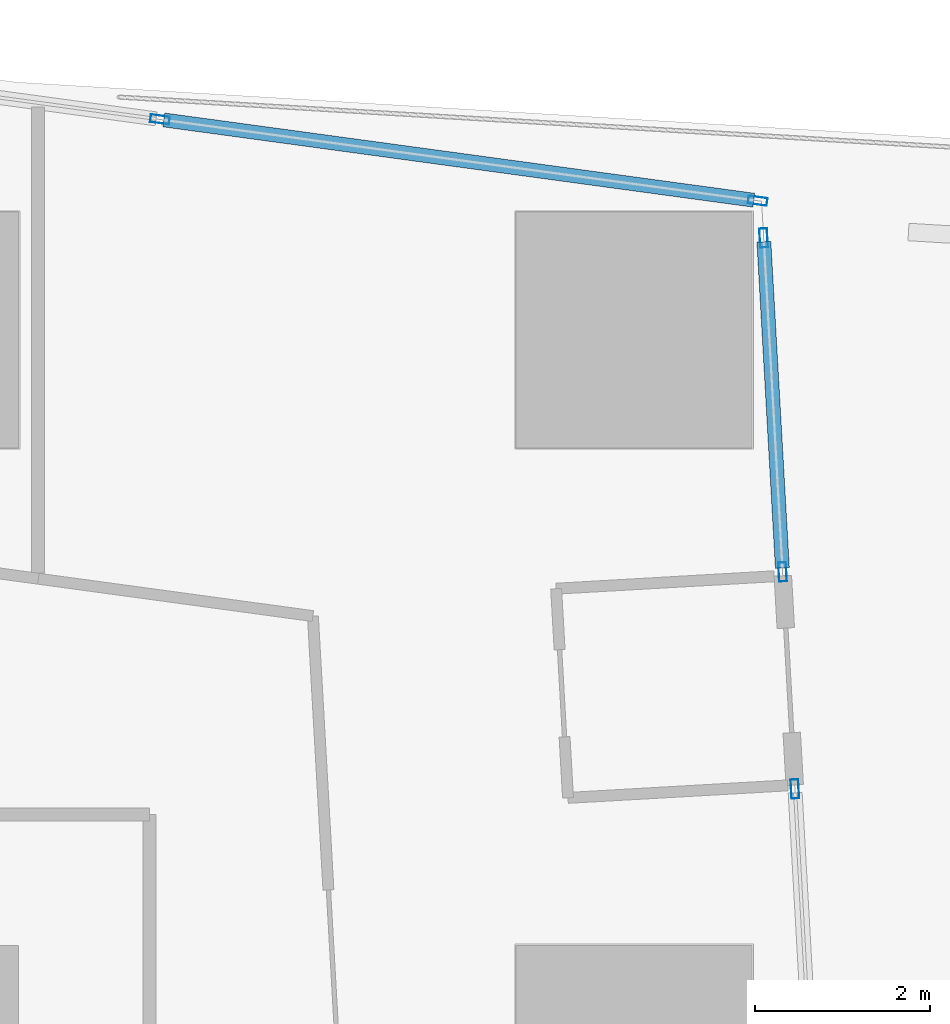
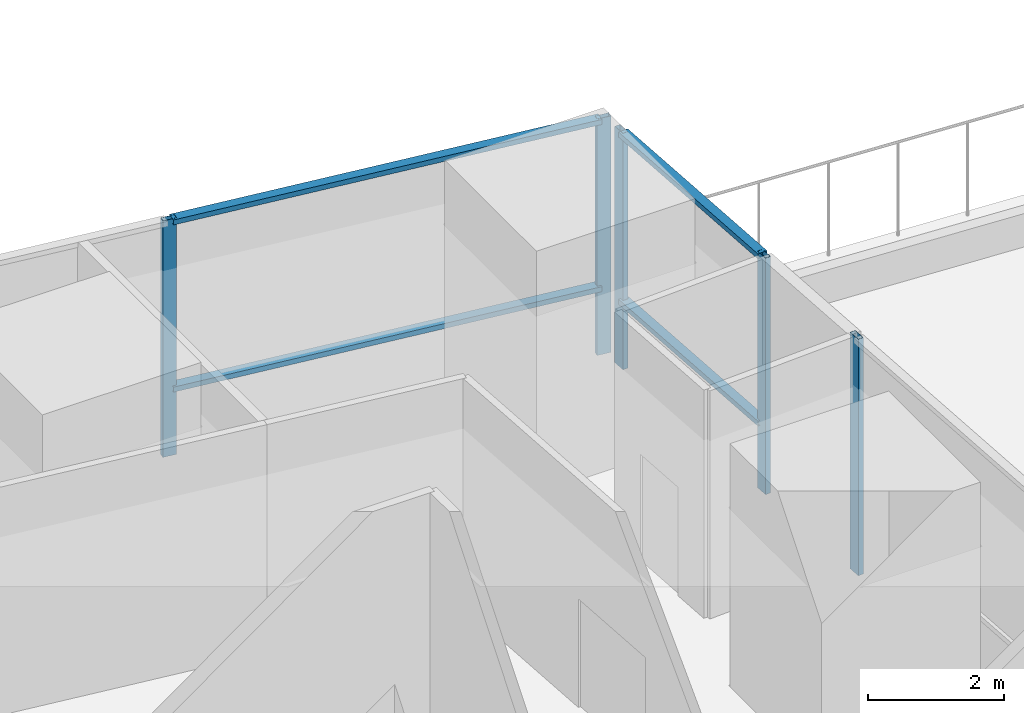
# One storey, part 11 of 39: 9 members, 3 elements without a shape of their own.
"""IFC4 building model written with IfcOpenShell, lengths in metres."""

import ifcopenshell
import ifcopenshell.guid

model = None  # the IFC model being written
_history = None  # IfcOwnerHistory: only IFC2X3 demands one
_inside = {}  # id of a spatial element -> (the spatial element, [elements in it])
_under = {}  # id of a project, library or spatial element -> (it, [spatial elements below it])
_declared = {}  # id of a project -> (the project, [libraries it declares])
_typed = {}  # id of a type object -> (the type object, [elements of that type])
_made_of = {}  # id of a material, layer set ... -> (it, [elements and type objects made of it])


def new_model(schema):
    """Start an empty IFC model of exactly this schema.

    Asked for "IFC4X3", IfcOpenShell would pick the latest addendum, in which some entities
    have other attributes; the version numbers below select the first issue.
    IFC2X3 requires an IfcOwnerHistory on every rooted entity: one is made here for all.
    """
    global model, _history
    if schema == "IFC4X3":
        model = ifcopenshell.file(schema_version=(4, 3, 0, 0))
    else:
        model = ifcopenshell.file(schema=schema)
    _inside.clear()
    _under.clear()
    _declared.clear()
    _typed.clear()
    _made_of.clear()
    _history = None
    if model.schema == "IFC2X3":
        org = make("IfcOrganization", Name="unknown")
        user = make(
            "IfcPersonAndOrganization",
            ThePerson=make("IfcPerson", FamilyName="unknown"),
            TheOrganization=org,
        )
        app = make(
            "IfcApplication",
            ApplicationDeveloper=org,
            Version="unknown",
            ApplicationFullName="unknown",
            ApplicationIdentifier="unknown",
        )
        _history = make(
            "IfcOwnerHistory",
            OwningUser=user,
            OwningApplication=app,
            ChangeAction="ADDED",
            CreationDate=0,
        )
    return model


def make(cls, **values):
    """One entity of the class cls with the attributes given. An attribute that is None is left unset."""
    return model.create_entity(
        cls, **{name: value for name, value in values.items() if value is not None}
    )


def rooted(cls, **values):
    """An entity with a GlobalId (a new one), such as an element, a storey or a relation."""
    return make(cls, GlobalId=ifcopenshell.guid.new(), OwnerHistory=_history, **values)


def si_unit(unit_type, name, prefix=None):
    """IfcSIUnit, for example si_unit("LENGTHUNIT", "METRE", prefix="MILLI")."""
    return make("IfcSIUnit", UnitType=unit_type, Prefix=prefix, Name=name)


def assignment(units):
    """IfcUnitAssignment: the units of a project."""
    return None if units is None else make("IfcUnitAssignment", Units=units)


def point(xyz):
    """IfcCartesianPoint."""
    return None if xyz is None else make("IfcCartesianPoint", Coordinates=xyz)


def direction(xyz):
    """IfcDirection."""
    return None if xyz is None else make("IfcDirection", DirectionRatios=xyz)


def frame(location, z_axis=None, x_axis=None):
    """IfcAxis2Placement3D, a coordinate frame: its origin and axes. An axis left out is left unset."""
    return make(
        "IfcAxis2Placement3D",
        Location=point(location),
        Axis=direction(z_axis),
        RefDirection=direction(x_axis),
    )


def frame_2d(location, x_axis=None):
    """IfcAxis2Placement2D, a coordinate frame in the plane: its origin and x axis."""
    return make(
        "IfcAxis2Placement2D", Location=point(location), RefDirection=direction(x_axis)
    )


def origin():
    """The frame at (0, 0, 0) with its axes left unset."""
    return frame((0.0, 0.0, 0.0))


def origin_2d():
    """The frame at (0, 0) in the plane with its x axis left unset."""
    return frame_2d((0.0, 0.0))


def place(relative_to, where):
    """IfcLocalPlacement: puts the frame where relative to a parent placement (None: the world)."""
    return make(
        "IfcLocalPlacement", PlacementRelTo=relative_to, RelativePlacement=where
    )


def context(
    kind, dimensions, precision=None, world=None, true_north=None, identifier=None
):
    """IfcGeometricRepresentationContext, for example the 3D "Model" context."""
    return make(
        "IfcGeometricRepresentationContext",
        ContextIdentifier=identifier,
        ContextType=kind,
        CoordinateSpaceDimension=dimensions,
        Precision=precision,
        WorldCoordinateSystem=world,
        TrueNorth=true_north,
    )


def subcontext(parent, identifier, kind, view, scale=None):
    """IfcGeometricRepresentationSubContext, for example "Body" below "Model"."""
    return make(
        "IfcGeometricRepresentationSubContext",
        ContextIdentifier=identifier,
        ContextType=kind,
        ParentContext=parent,
        TargetScale=scale,
        TargetView=view,
    )


def project(units=None, contexts=None):
    """IfcProject with its units and contexts."""
    return rooted(
        "IfcProject",
        Name="project",
        RepresentationContexts=contexts,
        UnitsInContext=assignment(units),
    )


def spatial(cls, under=None, at=None, **own):
    """A site, building, storey or space (cls), placed at a placement, below another one or the project."""
    s = rooted(cls, ObjectPlacement=at, **own)
    if under is not None:
        _under.setdefault(under.id(), (under, []))[1].append(s)
    return s


def profile(cls, at=None, kind="AREA", **sizes):
    """A parametric profile (cls). Its sizes go by their IFC names, for example OverallWidth=200.0."""
    return make(cls, ProfileType=kind, Position=at, **sizes)


def hollow_rectangle(**sizes):
    """IfcRectangleHollowProfileDef."""
    return profile("IfcRectangleHollowProfileDef", **sizes)


def extrude(swept, where, along, depth):
    """IfcExtrudedAreaSolid: the profile swept, set in the frame where, extruded along a direction by depth."""
    return make(
        "IfcExtrudedAreaSolid",
        SweptArea=swept,
        Position=where,
        ExtrudedDirection=direction(along),
        Depth=depth,
    )


def shape(context_of_items, identifier, shape_type, items):
    """IfcShapeRepresentation: the items that make up one representation, for example the "Body"."""
    return make(
        "IfcShapeRepresentation",
        ContextOfItems=context_of_items,
        RepresentationIdentifier=identifier,
        RepresentationType=shape_type,
        Items=items,
    )


def material(Name=None, Category=None):
    """IfcMaterial."""
    return make("IfcMaterial", Name=Name, Category=Category)


def material_profile(
    of_material, cross_section, Name=None, Category=None, Priority=None
):
    """IfcMaterialProfile: a cross section and its material."""
    return make(
        "IfcMaterialProfile",
        Name=Name,
        Material=of_material,
        Profile=cross_section,
        Priority=Priority,
        Category=Category,
    )


def profile_set(profiles, Name=None, composite=None):
    """IfcMaterialProfileSet."""
    return make(
        "IfcMaterialProfileSet",
        Name=Name,
        MaterialProfiles=profiles,
        CompositeProfile=composite,
    )


def made_of(thing, what):
    """Note that an element or type object is made of a material, layer set ...; save() writes the relation."""
    if what is not None:
        _made_of.setdefault(what.id(), (what, []))[1].append(thing)
    return thing


def type_object(cls, material=None, **own):
    """A type object (cls), such as IfcWallType, which elements share."""
    return made_of(rooted(cls, **own), material)


def element(
    cls,
    number,
    at=None,
    inside=None,
    cuts=None,
    type_object=None,
    material=None,
    context=None,
    identifier="Body",
    shape_type=None,
    held_by="IfcProductDefinitionShape",
    body=None,
    shapes=None,
    **own,
):
    """One element of the class cls, such as IfcWall. Its Tag is "e" and its number.

    at: its placement. inside: the storey or other place that contains it. cuts: it is an
    opening in that element (IfcRelVoidsElement). A single representation is given by context,
    identifier, shape_type and body (its items); several are given by shapes. held_by: the class
    of the entity that holds the representations. save() writes the other relations.
    """
    e = rooted(cls, Tag="e%d" % number, ObjectPlacement=at, **own)
    if body is not None:
        shapes = [shape(context, identifier, shape_type, body)]
    if shapes is not None:
        e.Representation = make(held_by, Representations=shapes)
    if inside is not None:
        _inside.setdefault(inside.id(), (inside, []))[1].append(e)
    if cuts is not None:
        rooted(
            "IfcRelVoidsElement", RelatingBuildingElement=cuts, RelatedOpeningElement=e
        )
    if type_object is not None:
        _typed.setdefault(type_object.id(), (type_object, []))[1].append(e)
    return made_of(e, material)


def aggregate(whole, parts):
    """IfcRelAggregates: a whole, such as a stair, and the parts it consists of."""
    return rooted("IfcRelAggregates", RelatingObject=whole, RelatedObjects=parts)


def save(model, path):
    """Write the relations noted so far, then the file.

    IfcRelAggregates (storeys below a building ...), IfcRelContainedInSpatialStructure (elements
    in a storey), IfcRelDefinesByType, IfcRelAssociatesMaterial and IfcRelDeclares: one each for
    every whole, place, type object, material and project.
    """
    for whole, parts in _under.values():
        aggregate(whole, parts)
    for where, things in _inside.values():
        rooted(
            "IfcRelContainedInSpatialStructure",
            RelatedElements=things,
            RelatingStructure=where,
        )
    for kind, things in _typed.values():
        rooted("IfcRelDefinesByType", RelatedObjects=things, RelatingType=kind)
    for what, things in _made_of.values():
        rooted("IfcRelAssociatesMaterial", RelatedObjects=things, RelatingMaterial=what)
    for by, libraries in _declared.values():
        rooted("IfcRelDeclares", RelatingContext=by, RelatedDefinitions=libraries)
    model.write(path)


model = new_model("IFC4")

# Units and contexts
model_context = context("Model", 3, precision=1e-05, world=origin(), true_north=direction((0.0, 1.0)))
body_context = subcontext(model_context, "Body", "Model", "MODEL_VIEW")
ifc_project = project(units=[si_unit("LENGTHUNIT", "METRE"), si_unit("AREAUNIT", "SQUARE_METRE"), si_unit("VOLUMEUNIT", "CUBIC_METRE"), si_unit("PLANEANGLEUNIT", "RADIAN"), si_unit("MASSUNIT", "GRAM", prefix="KILO")], contexts=[model_context])

# Site, building, storey
site_placement = place(None, origin())
site = spatial("IfcSite", under=ifc_project, at=site_placement, CompositionType="ELEMENT")
building_placement = place(site_placement, origin())
building = spatial("IfcBuilding", under=site, at=building_placement, Name="Rekha Terrace Tower", CompositionType="ELEMENT")
storey_placement = place(building_placement, frame((0.0, 0.0, 168.199951171875)))
storey = spatial("IfcBuildingStorey", under=building, at=storey_placement, Name="L42", CompositionType="ELEMENT", Elevation=168.199951171875)

# Curtain wall, member
ifc_material_1 = material(Name="Aluminium framing", Category="aluminium")
curtain_wall_type = type_object("IfcCurtainWallType", Name="CW5 sky garden glazing", PredefinedType="USERDEFINED", material=ifc_material_1)
curtain_wall_1_placement = place(storey_placement, origin())
curtain_wall_1 = element("IfcCurtainWall", 1, at=curtain_wall_1_placement, inside=storey, type_object=curtain_wall_type, Name="CW5 sky garden curtain wall", ObjectType="SKY GARDEN CURTAIN WALL", PredefinedType="USERDEFINED")
ifc_material_2 = material(Name="Aluminium mullion section", Category="aluminium")
ifc_material_profile_1 = material_profile(ifc_material_2, hollow_rectangle(XDim=0.090087890625, YDim=0.219970703125, WallThickness=0.00390625, at=origin_2d()), Name="AL RHS 90x220")
ifc_profile_set_1 = profile_set([ifc_material_profile_1], Name="Aluminium mullion section")
member_type_1 = type_object("IfcMemberType", Name="CW5 mullion RHS 90 x 220", PredefinedType="MULLION", material=ifc_profile_set_1)
member_1_placement = place(storey_placement, frame((60.6416015625, 53.543701171875, 0.0), z_axis=(0.0, 0.0, 1.0), x_axis=(-0.998392782915, -0.056673194929, 0.0)))
member_1 = element("IfcMember", 2, at=member_1_placement, type_object=member_type_1, Name="CW5 mullion 2", PredefinedType="MULLION", context=body_context, shape_type="SweptSolid", body=[
    extrude(hollow_rectangle(XDim=0.090087890625, YDim=0.219970703125, WallThickness=0.00390625, at=origin_2d()), origin(), (0.0, 0.0, 1.0), 4.25),
])
aggregate(curtain_wall_1, [member_1])

# Curtain wall, members
curtain_wall_2_placement = place(storey_placement, origin())
curtain_wall_2 = element("IfcCurtainWall", 3, at=curtain_wall_2_placement, inside=storey, type_object=curtain_wall_type, Name="CW5 sky garden curtain wall", ObjectType="SKY GARDEN CURTAIN WALL", PredefinedType="USERDEFINED")
member_2_placement = place(storey_placement, frame((60.50048828125, 56.02978515625, 0.0), z_axis=(0.0, 0.0, 1.0), x_axis=(-0.998392782916, -0.056673194912, 0.0)))
member_2 = element("IfcMember", 4, at=member_2_placement, type_object=member_type_1, Name="CW5 mullion 1", PredefinedType="MULLION", context=body_context, shape_type="SweptSolid", body=[
    extrude(hollow_rectangle(XDim=0.090087890625, YDim=0.219970703125, WallThickness=0.00390625, at=origin_2d()), origin(), (0.0, 0.0, 1.0), 4.25),
])
member_3_placement = place(storey_placement, frame((60.283447265625, 59.8544921875, 0.0), z_axis=(0.0, 0.0, 1.0), x_axis=(-0.998392782916, -0.056673194912, 0.0)))
member_3 = element("IfcMember", 5, at=member_3_placement, type_object=member_type_1, Name="CW5 mullion 2", PredefinedType="MULLION", context=body_context, shape_type="SweptSolid", body=[
    extrude(hollow_rectangle(XDim=0.090087890625, YDim=0.219970703125, WallThickness=0.00390625, at=origin_2d()), origin(), (0.0, 0.0, 1.0), 4.25),
])

curtain_wall_3_placement = place(storey_placement, origin())
curtain_wall_3 = element("IfcCurtainWall", 6, at=curtain_wall_3_placement, inside=storey, type_object=curtain_wall_type, Name="CW5 sky garden curtain wall", ObjectType="SKY GARDEN CURTAIN WALL", PredefinedType="USERDEFINED")
member_4_placement = place(storey_placement, frame((60.215087890625, 60.280029296875, 0.0), z_axis=(0.0, 0.0, 1.0), x_axis=(-0.134840840416, -0.990867270504, 0.0)))
member_4 = element("IfcMember", 7, at=member_4_placement, type_object=member_type_1, Name="CW5 mullion 1", PredefinedType="MULLION", context=body_context, shape_type="SweptSolid", body=[
    extrude(hollow_rectangle(XDim=0.090087890625, YDim=0.219970703125, WallThickness=0.00390625, at=origin_2d()), origin(), (0.0, 0.0, 1.0), 4.25),
])
member_5_placement = place(storey_placement, frame((53.369384765625, 61.211669921875, 0.0), z_axis=(0.0, 0.0, 1.0), x_axis=(-0.134840840416, -0.990867270504, 0.0)))
member_5 = element("IfcMember", 8, at=member_5_placement, type_object=member_type_1, Name="CW5 mullion 2", PredefinedType="MULLION", context=body_context, shape_type="SweptSolid", body=[
    extrude(hollow_rectangle(XDim=0.090087890625, YDim=0.219970703125, WallThickness=0.00390625, at=origin_2d()), origin(), (0.0, 0.0, 1.0), 4.25),
])

# Member
ifc_material_3 = material(Name="Aluminium transom section", Category="aluminium")
ifc_material_profile_2 = material_profile(ifc_material_3, hollow_rectangle(XDim=0.159912109375, YDim=0.090087890625, WallThickness=0.0029296875, at=origin_2d()), Name="AL RHS 160x90")
ifc_profile_set_2 = profile_set([ifc_material_profile_2], Name="Aluminium transom section")
member_type_2 = type_object("IfcMemberType", Name="CW5 transom RHS 90 x 160", PredefinedType="USERDEFINED", material=ifc_profile_set_2)
member_6_placement = place(storey_placement, frame((60.498046875, 56.07470703125, 1.199951171875), z_axis=(-0.056648330527, 0.998394194018, 0.0), x_axis=(-0.998394194018, -0.056648330527, 0.0)))
member_6 = element("IfcMember", 9, at=member_6_placement, type_object=member_type_2, Name="CW5 transom 1.2", ObjectType="TRANSOM", PredefinedType="USERDEFINED", context=body_context, shape_type="SweptSolid", body=[
    extrude(hollow_rectangle(XDim=0.159912109375, YDim=0.090087890625, WallThickness=0.0029296875, at=origin_2d()), origin(), (0.0, 0.0, 1.0), 3.740966796875),
])

member_7_placement = place(storey_placement, frame((60.498046875, 56.07470703125, 4.205078125), z_axis=(-0.056648330527, 0.998394194018, 0.0), x_axis=(-0.998394194018, -0.056648330527, 0.0)))
member_7 = element("IfcMember", 10, at=member_7_placement, type_object=member_type_2, Name="CW5 transom 1.3", ObjectType="TRANSOM", PredefinedType="USERDEFINED", context=body_context, shape_type="SweptSolid", body=[
    extrude(hollow_rectangle(XDim=0.159912109375, YDim=0.090087890625, WallThickness=0.0029296875, at=origin_2d()), origin(), (0.0, 0.0, 1.0), 3.740966796875),
])

aggregate(curtain_wall_2, [member_2, member_3, member_6, member_7])

member_8_placement = place(storey_placement, frame((60.17041015625, 60.2861328125, 1.199951171875), z_axis=(-0.990867170453, 0.134841575628, 0.0), x_axis=(-0.134841575628, -0.990867170453, 0.0)))
member_8 = element("IfcMember", 11, at=member_8_placement, type_object=member_type_2, Name="CW5 transom 1.2", ObjectType="TRANSOM", PredefinedType="USERDEFINED", context=body_context, shape_type="SweptSolid", body=[
    extrude(hollow_rectangle(XDim=0.159912109375, YDim=0.090087890625, WallThickness=0.0029296875, at=origin_2d()), origin(), (0.0, 0.0, 1.0), 6.818603515625),
])

member_9_placement = place(storey_placement, frame((60.17041015625, 60.2861328125, 4.205078125), z_axis=(-0.990867170453, 0.134841575628, 0.0), x_axis=(-0.134841575628, -0.990867170453, 0.0)))
member_9 = element("IfcMember", 12, at=member_9_placement, type_object=member_type_2, Name="CW5 transom 1.3", ObjectType="TRANSOM", PredefinedType="USERDEFINED", context=body_context, shape_type="SweptSolid", body=[
    extrude(hollow_rectangle(XDim=0.159912109375, YDim=0.090087890625, WallThickness=0.0029296875, at=origin_2d()), origin(), (0.0, 0.0, 1.0), 6.818603515625),
])

aggregate(curtain_wall_3, [member_4, member_5, member_8, member_9])

save(model, "model.ifc")
